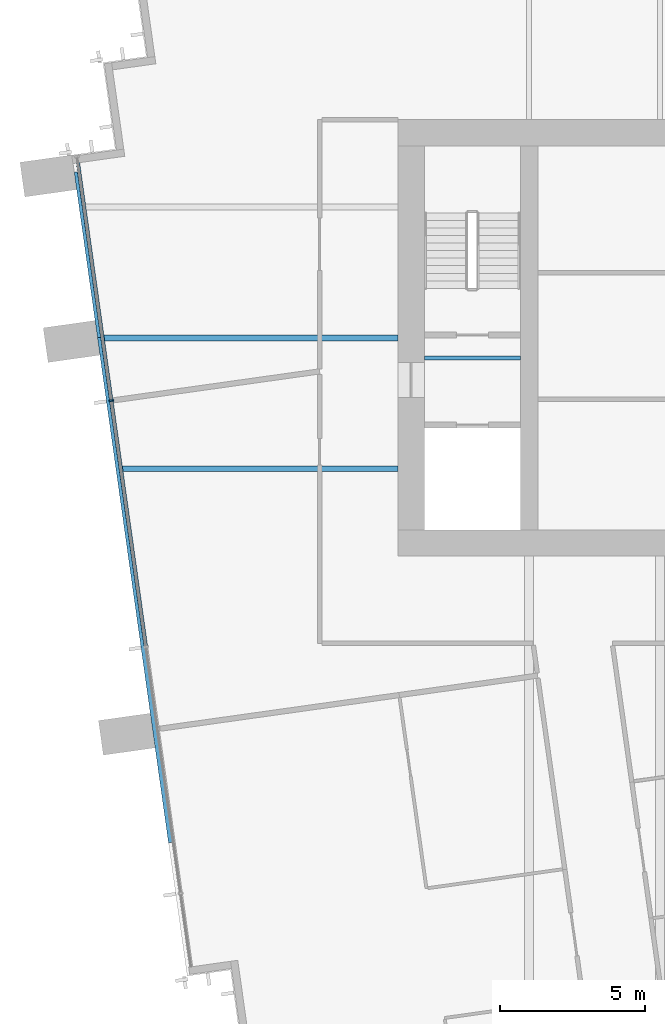
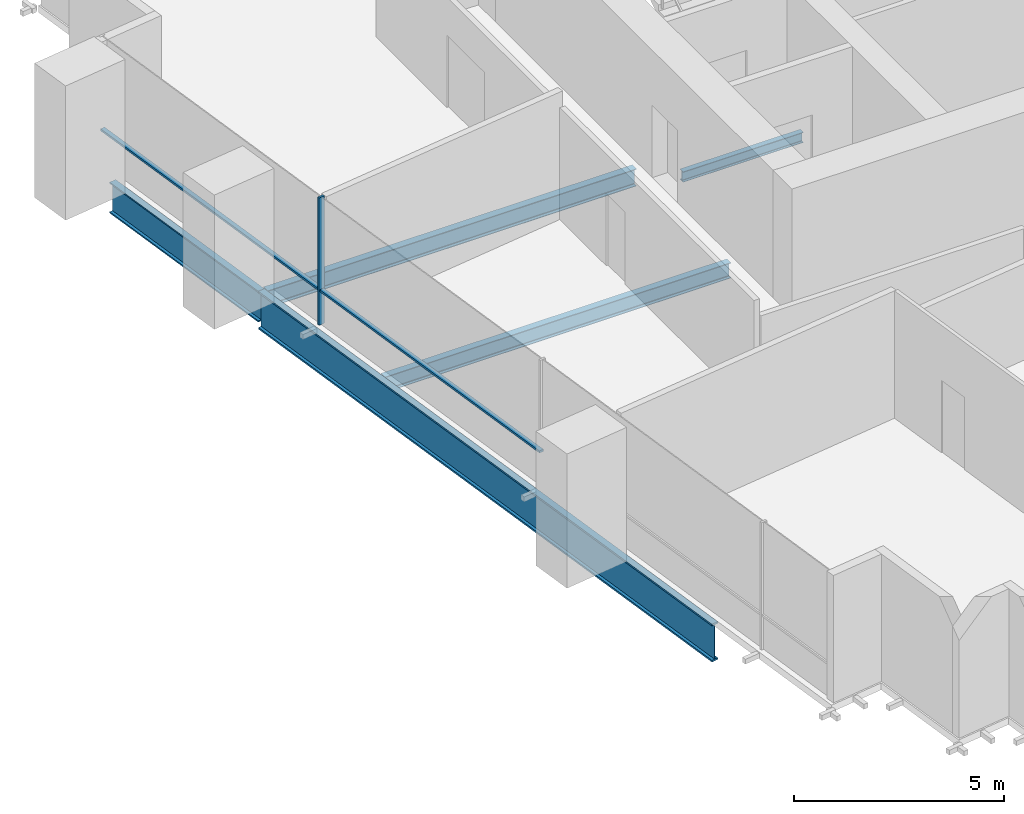
# One storey, part 3 of 14: 5 beams, 3 members, 1 element without a shape of its own.
"""IFC4 building model written with IfcOpenShell, lengths in metres."""

from ifc_helpers import new_model, si_unit, direction, frame, origin, origin_2d, place, context, subcontext, project, spatial, rectangle, i_section, extrude, material, material_profile, profile_set, type_object, element, aggregate, save


model = new_model("IFC4")

# Units and contexts
model_context = context("Model", 3, precision=1e-05, world=origin(), true_north=direction((0.0, 1.0)))
body_context = subcontext(model_context, "Body", "Model", "MODEL_VIEW")
ifc_project = project(units=[si_unit("LENGTHUNIT", "METRE"), si_unit("AREAUNIT", "SQUARE_METRE"), si_unit("VOLUMEUNIT", "CUBIC_METRE"), si_unit("PLANEANGLEUNIT", "RADIAN"), si_unit("MASSUNIT", "GRAM", prefix="KILO")], contexts=[model_context])

# Site, building, storey
site_placement = place(None, origin())
site = spatial("IfcSite", under=ifc_project, at=site_placement, CompositionType="ELEMENT")
building_placement = place(site_placement, origin())
building = spatial("IfcBuilding", under=site, at=building_placement, Name="Rattan Terrace Tower", CompositionType="ELEMENT")
storey_placement = place(building_placement, frame((0.0, 0.0, 184.10009765625)))
storey = spatial("IfcBuildingStorey", under=building, at=storey_placement, Name="L42", CompositionType="ELEMENT", Elevation=184.10009765625)

# Curtain wall, members
ifc_material_1 = material(Name="Aluminium and glass", Category="aluminium")
curtain_wall_type = type_object("IfcCurtainWallType", Name="Facade Unitised Curtain Wall", PredefinedType="NOTDEFINED", material=ifc_material_1)
curtain_wall_placement = place(storey_placement, origin())
curtain_wall = element("IfcCurtainWall", 1, at=curtain_wall_placement, inside=storey, type_object=curtain_wall_type, Name="Curtain wall L42-3", PredefinedType="NOTDEFINED")
ifc_material_2 = material(Name="Aluminium", Category="aluminium")
ifc_material_profile_1 = material_profile(ifc_material_2, rectangle(XDim=0.06005859375, YDim=0.159912109375, at=origin_2d()), Name="Aluminium 60x160")
ifc_profile_set_1 = profile_set([ifc_material_profile_1], Name="Aluminium")
member_type_1 = type_object("IfcMemberType", Name="Facade CW Mullion 60x160", PredefinedType="MULLION", material=ifc_profile_set_1)
member_1_placement = place(storey_placement, frame((-27.857666015625, -2.1591796875, 0.0), z_axis=(0.0, 0.0, 1.0), x_axis=(0.139190856006, -0.99026557327, 0.0)))
member_1 = element("IfcMember", 2, at=member_1_placement, type_object=member_type_1, Name="Mullion cwl-L42-003.2", PredefinedType="MULLION", context=body_context, shape_type="SweptSolid", body=[
    extrude(rectangle(XDim=0.06005859375, YDim=0.159912109375, at=origin_2d()), origin(), (0.0, 0.0, 1.0), 3.699951171875),
])
ifc_material_3 = material(Name="Aluminium", Category="aluminium")
ifc_material_profile_2 = material_profile(ifc_material_3, rectangle(XDim=0.1201171875, YDim=0.06005859375, at=origin_2d()), Name="Aluminium 120x60")
ifc_profile_set_2 = profile_set([ifc_material_profile_2], Name="Aluminium")
member_type_2 = type_object("IfcMemberType", Name="Facade CW Transom 120x60", PredefinedType="USERDEFINED", material=ifc_profile_set_2)
member_2_placement = place(storey_placement, frame((-29.032958984375, 6.20361328125, 1.0), z_axis=(0.139174814558, -0.99026782791, 0.0), x_axis=(0.99026782791, 0.139174814558, 0.0)))
member_2 = element("IfcMember", 3, at=member_2_placement, type_object=member_type_2, Name="Transom cwl-L42-003.1", ObjectType="TRANSOM", PredefinedType="USERDEFINED", context=body_context, shape_type="SweptSolid", body=[
    extrude(rectangle(XDim=0.1201171875, YDim=0.06005859375, at=origin_2d()), origin(), (0.0, 0.0, 1.0), 8.414794921875),
])
member_3_placement = place(storey_placement, frame((-27.853515625, -2.188720703125, 1.0), z_axis=(0.139206806234, -0.990263331189, 0.0), x_axis=(0.990263331189, 0.139206806234, 0.0)))
member_3 = element("IfcMember", 4, at=member_3_placement, type_object=member_type_2, Name="Transom cwl-L42-003.2", ObjectType="TRANSOM", PredefinedType="USERDEFINED", context=body_context, shape_type="SweptSolid", body=[
    extrude(rectangle(XDim=0.1201171875, YDim=0.06005859375, at=origin_2d()), origin(), (0.0, 0.0, 1.0), 8.490234375),
])
aggregate(curtain_wall, [member_1, member_2, member_3])

# Beams
ifc_material_4 = material(Name="Steel S460", Category="steel")
ifc_material_profile_3 = material_profile(ifc_material_4, i_section(OverallWidth=0.179931640625, OverallDepth=1.10009765625, WebThickness=0.01611328125, FlangeThickness=0.050048828125, at=origin_2d()), Name="PG 1100x180-16-50")
ifc_profile_set_3 = profile_set([ifc_material_profile_3], Name="Steel S460")
beam_type_1 = type_object("IfcBeamType", Name="Frame edge girder PG 1100x180-16-50", PredefinedType="SPANDREL", material=ifc_profile_set_3)
beam_1_placement = place(storey_placement, frame((-25.803955078125, -17.347900390625, -0.75), z_axis=(-0.13917502981, 0.990267797657, 0.0), x_axis=(-0.990267797657, -0.13917502981, 0.0)))
element("IfcBeam", 5, at=beam_1_placement, inside=storey, type_object=beam_type_1, Name="gdr-L42-003", PredefinedType="SPANDREL", context=body_context, shape_type="SweptSolid", body=[
    extrude(i_section(OverallWidth=0.179931640625, OverallDepth=1.10009765625, WebThickness=0.01611328125, FlangeThickness=0.050048828125, at=origin_2d()), origin(), (0.0, 0.0, 1.0), 17.531494140625),
])
ifc_material_5 = material(Name="Steel S460", Category="steel")
ifc_material_profile_4 = material_profile(ifc_material_5, i_section(OverallWidth=0.179931640625, OverallDepth=0.89990234375, WebThickness=0.013916015625, FlangeThickness=0.0400390625, at=origin_2d()), Name="PG 900x180-14-40")
ifc_profile_set_4 = profile_set([ifc_material_profile_4], Name="Steel S460")
beam_type_2 = type_object("IfcBeamType", Name="Frame edge girder PG 900x180-14-40", PredefinedType="SPANDREL", material=ifc_profile_set_4)
beam_2_placement = place(storey_placement, frame((-29.0439453125, 5.702880859375, -0.650146484375), z_axis=(0.139237904773, -0.990258958997, 0.0), x_axis=(0.990258958997, 0.139237904773, 0.0)))
element("IfcBeam", 6, at=beam_2_placement, inside=storey, type_object=beam_type_2, Name="gdr-L42-004", PredefinedType="SPANDREL", context=body_context, shape_type="SweptSolid", body=[
    extrude(i_section(OverallWidth=0.179931640625, OverallDepth=0.89990234375, WebThickness=0.013916015625, FlangeThickness=0.0400390625, at=origin_2d()), origin(), (0.0, 0.0, 1.0), 5.745849609375),
])
ifc_material_6 = material(Name="Steel S355", Category="steel")
ifc_material_profile_5 = material_profile(ifc_material_6, i_section(OverallWidth=0.14990234375, OverallDepth=0.300048828125, WebThickness=0.007080078125, FlangeThickness=0.0107421875, FilletRadius=0.014892578125, at=origin_2d()), Name="IPE 300")
ifc_profile_set_5 = profile_set([ifc_material_profile_5], Name="Steel S355")
beam_type_3 = type_object("IfcBeamType", Name="Frame floor beam IPE 300", PredefinedType="JOIST", material=ifc_profile_set_5)
beam_3_placement = place(storey_placement, frame((-17.10009765625, -0.695068359375, -0.35009765625), z_axis=(1.0, 0.0, 0.0), x_axis=(0.0, 1.0, 0.0)))
element("IfcBeam", 7, at=beam_3_placement, inside=storey, type_object=beam_type_3, Name="bm-L42-001", PredefinedType="JOIST", context=body_context, shape_type="SweptSolid", body=[
    extrude(i_section(OverallWidth=0.14990234375, OverallDepth=0.300048828125, WebThickness=0.007080078125, FlangeThickness=0.0107421875, FilletRadius=0.014892578125, at=origin_2d()), origin(), (0.0, 0.0, 1.0), 3.300048828125),
])
ifc_material_7 = material(Name="Steel S355", Category="steel")
ifc_material_profile_6 = material_profile(ifc_material_7, i_section(OverallWidth=0.18994140625, OverallDepth=0.449951171875, WebThickness=0.009521484375, FlangeThickness=0.0146484375, FilletRadius=0.02099609375, at=origin_2d()), Name="IPE 450")
ifc_profile_set_6 = profile_set([ifc_material_profile_6], Name="Steel S355")
beam_type_4 = type_object("IfcBeamType", Name="Frame floor beam IPE 450", PredefinedType="JOIST", material=ifc_profile_set_6)
beam_4_placement = place(storey_placement, frame((-27.5048828125, -4.5, -0.425048828125), z_axis=(1.0, 0.0, 0.0), x_axis=(0.0, 1.0, 0.0)))
element("IfcBeam", 8, at=beam_4_placement, inside=storey, type_object=beam_type_4, Name="bm-L42-010", PredefinedType="JOIST", context=body_context, shape_type="SweptSolid", body=[
    extrude(i_section(OverallWidth=0.18994140625, OverallDepth=0.449951171875, WebThickness=0.009521484375, FlangeThickness=0.0146484375, FilletRadius=0.02099609375, at=origin_2d()), origin(), (0.0, 0.0, 1.0), 9.5048828125),
])
ifc_material_8 = material(Name="Steel S355", Category="steel")
ifc_material_profile_7 = material_profile(ifc_material_8, i_section(OverallWidth=0.199951171875, OverallDepth=0.5, WebThickness=0.01025390625, FlangeThickness=0.01611328125, FilletRadius=0.02099609375, at=origin_2d()), Name="IPE 500")
ifc_profile_set_7 = profile_set([ifc_material_profile_7], Name="Steel S355")
beam_type_5 = type_object("IfcBeamType", Name="Frame floor beam IPE 500", PredefinedType="JOIST", material=ifc_profile_set_7)
beam_5_placement = place(storey_placement, frame((-28.136962890625, 0.0, -0.4501953125), z_axis=(1.0, 0.0, 0.0), x_axis=(0.0, 1.0, 0.0)))
element("IfcBeam", 9, at=beam_5_placement, inside=storey, type_object=beam_type_5, Name="bm-L42-012", PredefinedType="JOIST", context=body_context, shape_type="SweptSolid", body=[
    extrude(i_section(OverallWidth=0.199951171875, OverallDepth=0.5, WebThickness=0.01025390625, FlangeThickness=0.01611328125, FilletRadius=0.02099609375, at=origin_2d()), origin(), (0.0, 0.0, 1.0), 10.136962890625),
])

save(model, "model.ifc")
